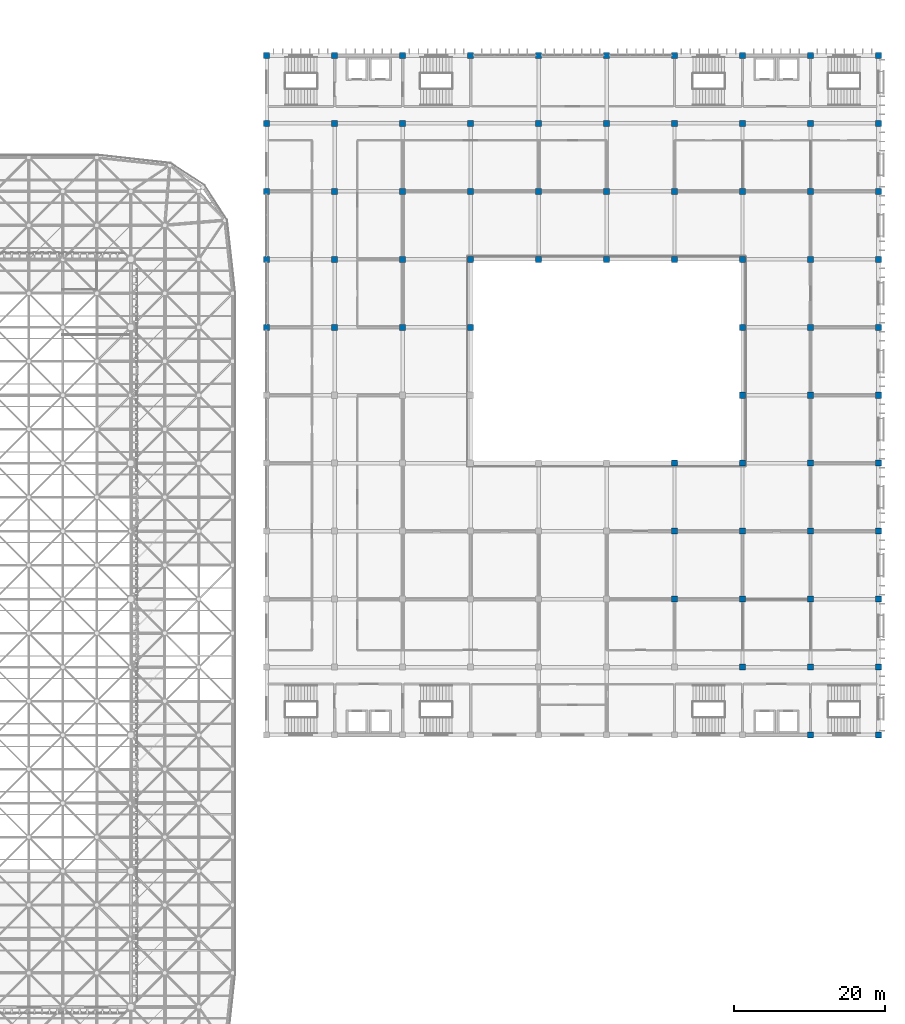
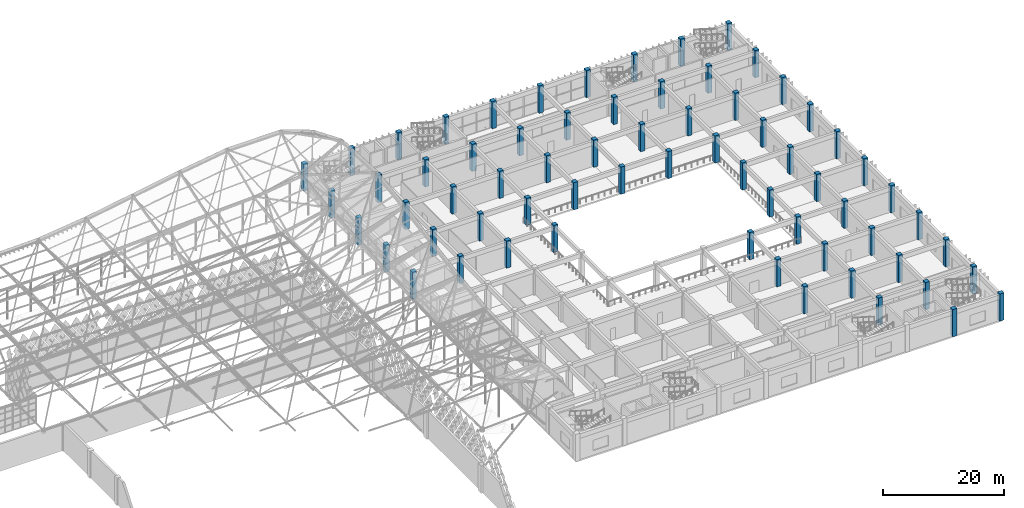
# One storey, part 10 of 437: 67 columns.
"""IFC4 building model written with IfcOpenShell, lengths in metres."""

import ifcopenshell
import ifcopenshell.guid

model = None  # the IFC model being written
_history = None  # IfcOwnerHistory: only IFC2X3 demands one
_inside = {}  # id of a spatial element -> (the spatial element, [elements in it])
_under = {}  # id of a project, library or spatial element -> (it, [spatial elements below it])
_declared = {}  # id of a project -> (the project, [libraries it declares])
_typed = {}  # id of a type object -> (the type object, [elements of that type])
_made_of = {}  # id of a material, layer set ... -> (it, [elements and type objects made of it])


def new_model(schema):
    """Start an empty IFC model of exactly this schema.

    Asked for "IFC4X3", IfcOpenShell would pick the latest addendum, in which some entities
    have other attributes; the version numbers below select the first issue.
    IFC2X3 requires an IfcOwnerHistory on every rooted entity: one is made here for all.
    """
    global model, _history
    if schema == "IFC4X3":
        model = ifcopenshell.file(schema_version=(4, 3, 0, 0))
    else:
        model = ifcopenshell.file(schema=schema)
    _inside.clear()
    _under.clear()
    _declared.clear()
    _typed.clear()
    _made_of.clear()
    _history = None
    if model.schema == "IFC2X3":
        org = make("IfcOrganization", Name="unknown")
        user = make(
            "IfcPersonAndOrganization",
            ThePerson=make("IfcPerson", FamilyName="unknown"),
            TheOrganization=org,
        )
        app = make(
            "IfcApplication",
            ApplicationDeveloper=org,
            Version="unknown",
            ApplicationFullName="unknown",
            ApplicationIdentifier="unknown",
        )
        _history = make(
            "IfcOwnerHistory",
            OwningUser=user,
            OwningApplication=app,
            ChangeAction="ADDED",
            CreationDate=0,
        )
    return model


def make(cls, **values):
    """One entity of the class cls with the attributes given. An attribute that is None is left unset."""
    return model.create_entity(
        cls, **{name: value for name, value in values.items() if value is not None}
    )


def rooted(cls, **values):
    """An entity with a GlobalId (a new one), such as an element, a storey or a relation."""
    return make(cls, GlobalId=ifcopenshell.guid.new(), OwnerHistory=_history, **values)


def si_unit(unit_type, name, prefix=None):
    """IfcSIUnit, for example si_unit("LENGTHUNIT", "METRE", prefix="MILLI")."""
    return make("IfcSIUnit", UnitType=unit_type, Prefix=prefix, Name=name)


def assignment(units):
    """IfcUnitAssignment: the units of a project."""
    return None if units is None else make("IfcUnitAssignment", Units=units)


def point(xyz):
    """IfcCartesianPoint."""
    return None if xyz is None else make("IfcCartesianPoint", Coordinates=xyz)


def direction(xyz):
    """IfcDirection."""
    return None if xyz is None else make("IfcDirection", DirectionRatios=xyz)


def frame(location, z_axis=None, x_axis=None):
    """IfcAxis2Placement3D, a coordinate frame: its origin and axes. An axis left out is left unset."""
    return make(
        "IfcAxis2Placement3D",
        Location=point(location),
        Axis=direction(z_axis),
        RefDirection=direction(x_axis),
    )


def frame_2d(location, x_axis=None):
    """IfcAxis2Placement2D, a coordinate frame in the plane: its origin and x axis."""
    return make(
        "IfcAxis2Placement2D", Location=point(location), RefDirection=direction(x_axis)
    )


def origin():
    """The frame at (0, 0, 0) with its axes left unset."""
    return frame((0.0, 0.0, 0.0))


def origin_2d():
    """The frame at (0, 0) in the plane with its x axis left unset."""
    return frame_2d((0.0, 0.0))


def place(relative_to, where):
    """IfcLocalPlacement: puts the frame where relative to a parent placement (None: the world)."""
    return make(
        "IfcLocalPlacement", PlacementRelTo=relative_to, RelativePlacement=where
    )


def context(
    kind, dimensions, precision=None, world=None, true_north=None, identifier=None
):
    """IfcGeometricRepresentationContext, for example the 3D "Model" context."""
    return make(
        "IfcGeometricRepresentationContext",
        ContextIdentifier=identifier,
        ContextType=kind,
        CoordinateSpaceDimension=dimensions,
        Precision=precision,
        WorldCoordinateSystem=world,
        TrueNorth=true_north,
    )


def subcontext(parent, identifier, kind, view, scale=None):
    """IfcGeometricRepresentationSubContext, for example "Body" below "Model"."""
    return make(
        "IfcGeometricRepresentationSubContext",
        ContextIdentifier=identifier,
        ContextType=kind,
        ParentContext=parent,
        TargetScale=scale,
        TargetView=view,
    )


def project(units=None, contexts=None):
    """IfcProject with its units and contexts."""
    return rooted(
        "IfcProject",
        Name="project",
        RepresentationContexts=contexts,
        UnitsInContext=assignment(units),
    )


def spatial(cls, under=None, at=None, **own):
    """A site, building, storey or space (cls), placed at a placement, below another one or the project."""
    s = rooted(cls, ObjectPlacement=at, **own)
    if under is not None:
        _under.setdefault(under.id(), (under, []))[1].append(s)
    return s


def profile(cls, at=None, kind="AREA", **sizes):
    """A parametric profile (cls). Its sizes go by their IFC names, for example OverallWidth=200.0."""
    return make(cls, ProfileType=kind, Position=at, **sizes)


def rectangle(**sizes):
    """IfcRectangleProfileDef."""
    return profile("IfcRectangleProfileDef", **sizes)


def extrude(swept, where, along, depth):
    """IfcExtrudedAreaSolid: the profile swept, set in the frame where, extruded along a direction by depth."""
    return make(
        "IfcExtrudedAreaSolid",
        SweptArea=swept,
        Position=where,
        ExtrudedDirection=direction(along),
        Depth=depth,
    )


def shape(context_of_items, identifier, shape_type, items):
    """IfcShapeRepresentation: the items that make up one representation, for example the "Body"."""
    return make(
        "IfcShapeRepresentation",
        ContextOfItems=context_of_items,
        RepresentationIdentifier=identifier,
        RepresentationType=shape_type,
        Items=items,
    )


def material(Name=None, Category=None):
    """IfcMaterial."""
    return make("IfcMaterial", Name=Name, Category=Category)


def material_profile(
    of_material, cross_section, Name=None, Category=None, Priority=None
):
    """IfcMaterialProfile: a cross section and its material."""
    return make(
        "IfcMaterialProfile",
        Name=Name,
        Material=of_material,
        Profile=cross_section,
        Priority=Priority,
        Category=Category,
    )


def profile_set(profiles, Name=None, composite=None):
    """IfcMaterialProfileSet."""
    return make(
        "IfcMaterialProfileSet",
        Name=Name,
        MaterialProfiles=profiles,
        CompositeProfile=composite,
    )


def made_of(thing, what):
    """Note that an element or type object is made of a material, layer set ...; save() writes the relation."""
    if what is not None:
        _made_of.setdefault(what.id(), (what, []))[1].append(thing)
    return thing


def type_object(cls, material=None, **own):
    """A type object (cls), such as IfcWallType, which elements share."""
    return made_of(rooted(cls, **own), material)


def element(
    cls,
    number,
    at=None,
    inside=None,
    cuts=None,
    type_object=None,
    material=None,
    context=None,
    identifier="Body",
    shape_type=None,
    held_by="IfcProductDefinitionShape",
    body=None,
    shapes=None,
    **own,
):
    """One element of the class cls, such as IfcWall. Its Tag is "e" and its number.

    at: its placement. inside: the storey or other place that contains it. cuts: it is an
    opening in that element (IfcRelVoidsElement). A single representation is given by context,
    identifier, shape_type and body (its items); several are given by shapes. held_by: the class
    of the entity that holds the representations. save() writes the other relations.
    """
    e = rooted(cls, Tag="e%d" % number, ObjectPlacement=at, **own)
    if body is not None:
        shapes = [shape(context, identifier, shape_type, body)]
    if shapes is not None:
        e.Representation = make(held_by, Representations=shapes)
    if inside is not None:
        _inside.setdefault(inside.id(), (inside, []))[1].append(e)
    if cuts is not None:
        rooted(
            "IfcRelVoidsElement", RelatingBuildingElement=cuts, RelatedOpeningElement=e
        )
    if type_object is not None:
        _typed.setdefault(type_object.id(), (type_object, []))[1].append(e)
    return made_of(e, material)


def aggregate(whole, parts):
    """IfcRelAggregates: a whole, such as a stair, and the parts it consists of."""
    return rooted("IfcRelAggregates", RelatingObject=whole, RelatedObjects=parts)


def save(model, path):
    """Write the relations noted so far, then the file.

    IfcRelAggregates (storeys below a building ...), IfcRelContainedInSpatialStructure (elements
    in a storey), IfcRelDefinesByType, IfcRelAssociatesMaterial and IfcRelDeclares: one each for
    every whole, place, type object, material and project.
    """
    for whole, parts in _under.values():
        aggregate(whole, parts)
    for where, things in _inside.values():
        rooted(
            "IfcRelContainedInSpatialStructure",
            RelatedElements=things,
            RelatingStructure=where,
        )
    for kind, things in _typed.values():
        rooted("IfcRelDefinesByType", RelatedObjects=things, RelatingType=kind)
    for what, things in _made_of.values():
        rooted("IfcRelAssociatesMaterial", RelatedObjects=things, RelatingMaterial=what)
    for by, libraries in _declared.values():
        rooted("IfcRelDeclares", RelatingContext=by, RelatedDefinitions=libraries)
    model.write(path)


model = new_model("IFC4")

# Units and contexts
model_context = context("Model", 3, precision=1e-05, world=origin(), true_north=direction((0.0, 1.0)))
body_context = subcontext(model_context, "Body", "Model", "MODEL_VIEW")
ifc_project = project(units=[si_unit("LENGTHUNIT", "METRE"), si_unit("AREAUNIT", "SQUARE_METRE"), si_unit("VOLUMEUNIT", "CUBIC_METRE"), si_unit("PLANEANGLEUNIT", "RADIAN"), si_unit("MASSUNIT", "GRAM", prefix="KILO")], contexts=[model_context])

# Site, building, storey
site_placement = place(None, origin())
site = spatial("IfcSite", under=ifc_project, at=site_placement, CompositionType="ELEMENT")
building_placement = place(site_placement, origin())
building = spatial("IfcBuilding", under=site, at=building_placement, Name="Opaline Strait Convention Centre", CompositionType="ELEMENT")
storey_placement = place(building_placement, frame((0.0, 0.0, 11.5)))
storey = spatial("IfcBuildingStorey", under=building, at=storey_placement, Name="L02", CompositionType="ELEMENT", Elevation=11.5)

# Columns
ifc_material = material(Name="Concrete C40", Category="concrete")
ifc_material_profile = material_profile(ifc_material, rectangle(XDim=0.800048828125, YDim=0.800048828125, at=origin_2d()), Name="RC 800x800")
ifc_profile_set = profile_set([ifc_material_profile], Name="Concrete C40")
column_type = type_object("IfcColumnType", Name="RC column 800x800 C40", PredefinedType="COLUMN", material=ifc_profile_set)
for number, where, z_axis, x_axis, name in (
    (1, (279.0, 144.0, 0.0), (0.0, 0.0, 1.0), (1.0, 0.0, 0.0), "XC2 L02 at 32/S"),
    (2, (279.0, 153.0, 0.0), (0.0, 0.0, 1.0), (1.0, 0.0, 0.0), "XC2 L02 at 32/T"),
    (3, (279.0, 162.0, 0.0), (0.0, 0.0, 1.0), (1.0, 0.0, 0.0), "XC2 L02 at 32/U"),
    (4, (279.0, 171.0, 0.0), (0.0, 0.0, 1.0), (1.0, 0.0, 0.0), "XC2 L02 at 32/V"),
    (5, (279.0, 180.0, 0.0), (0.0, 0.0, 1.0), (1.0, 0.0, 0.0), "XC2 L02 at 32/W"),
    (6, (288.0, 144.0, 0.0), (0.0, 0.0, 1.0), (1.0, 0.0, 0.0), "XC2 L02 at 33/S"),
    (7, (288.0, 153.0, 0.0), (0.0, 0.0, 1.0), (1.0, 0.0, 0.0), "XC2 L02 at 33/T"),
    (8, (288.0, 162.0, 0.0), (0.0, 0.0, 1.0), (1.0, 0.0, 0.0), "XC2 L02 at 33/U"),
    (9, (288.0, 171.0, 0.0), (0.0, 0.0, 1.0), (1.0, 0.0, 0.0), "XC2 L02 at 33/V"),
    (10, (288.0, 180.0, 0.0), (0.0, 0.0, 1.0), (1.0, 0.0, 0.0), "XC2 L02 at 33/W"),
    (11, (297.0, 144.0, 0.0), (0.0, 0.0, 1.0), (1.0, 0.0, 0.0), "XC2 L02 at 34/S"),
    (12, (297.0, 153.0, 0.0), (0.0, 0.0, 1.0), (1.0, 0.0, 0.0), "XC2 L02 at 34/T"),
    (13, (297.0, 162.0, 0.0), (0.0, 0.0, 1.0), (1.0, 0.0, 0.0), "XC2 L02 at 34/U"),
    (14, (297.0, 171.0, 0.0), (0.0, 0.0, 1.0), (1.0, 0.0, 0.0), "XC2 L02 at 34/V"),
    (15, (297.0, 180.0, 0.0), (0.0, 0.0, 1.0), (1.0, 0.0, 0.0), "XC2 L02 at 34/W"),
    (16, (306.0, 144.0, 0.0), (0.0, 0.0, 1.0), (1.0, 0.0, 0.0), "XC2 L02 at 35/S"),
    (17, (306.0, 153.0, 0.0), (0.0, 0.0, 1.0), (1.0, 0.0, 0.0), "XC2 L02 at 35/T"),
    (18, (306.0, 162.0, 0.0), (0.0, 0.0, 1.0), (1.0, 0.0, 0.0), "XC2 L02 at 35/U"),
    (19, (306.0, 171.0, 0.0), (0.0, 0.0, 1.0), (1.0, 0.0, 0.0), "XC2 L02 at 35/V"),
    (20, (306.0, 180.0, 0.0), (0.0, 0.0, 1.0), (1.0, 0.0, 0.0), "XC2 L02 at 35/W"),
    (21, (315.0, 153.0, 0.0), (0.0, 0.0, 1.0), (1.0, 0.0, 0.0), "XC2 L02 at 36/T"),
    (22, (315.0, 162.0, 0.0), (0.0, 0.0, 1.0), (1.0, 0.0, 0.0), "XC2 L02 at 36/U"),
    (23, (315.0, 171.0, 0.0), (0.0, 0.0, 1.0), (1.0, 0.0, 0.0), "XC2 L02 at 36/V"),
    (24, (315.0, 180.0, 0.0), (0.0, 0.0, 1.0), (1.0, 0.0, 0.0), "XC2 L02 at 36/W"),
    (25, (324.0, 153.0, 0.0), (0.0, 0.0, 1.0), (1.0, 0.0, 0.0), "XC2 L02 at 37/T"),
    (26, (324.0, 162.0, 0.0), (0.0, 0.0, 1.0), (1.0, 0.0, 0.0), "XC2 L02 at 37/U"),
    (27, (324.0, 171.0, 0.0), (0.0, 0.0, 1.0), (1.0, 0.0, 0.0), "XC2 L02 at 37/V"),
    (28, (324.0, 180.0, 0.0), (0.0, 0.0, 1.0), (1.0, 0.0, 0.0), "XC2 L02 at 37/W"),
    (29, (333.0, 108.0, 0.0), (0.0, 0.0, 1.0), (1.0, 0.0, 0.0), "XC2 L02 at 38/N"),
    (30, (333.0, 117.0, 0.0), (0.0, 0.0, 1.0), (1.0, 0.0, 0.0), "XC2 L02 at 38/P"),
    (31, (333.0, 126.0, 0.0), (0.0, 0.0, 1.0), (1.0, 0.0, 0.0), "XC2 L02 at 38/Q"),
    (32, (333.0, 153.0, 0.0), (0.0, 0.0, 1.0), (1.0, 0.0, 0.0), "XC2 L02 at 38/T"),
    (33, (333.0, 162.0, 0.0), (0.0, 0.0, 1.0), (1.0, 0.0, 0.0), "XC2 L02 at 38/U"),
    (34, (333.0, 171.0, 0.0), (0.0, 0.0, 1.0), (1.0, 0.0, 0.0), "XC2 L02 at 38/V"),
    (35, (333.0, 180.0, 0.0), (0.0, 0.0, 1.0), (1.0, 0.0, 0.0), "XC2 L02 at 38/W"),
    (36, (342.0, 99.0, 0.0), (0.0, 0.0, 1.0), (1.0, 0.0, 0.0), "XC2 L02 at 39/M"),
    (37, (342.0, 108.0, 0.0), (0.0, 0.0, 1.0), (1.0, 0.0, 0.0), "XC2 L02 at 39/N"),
    (38, (342.0, 117.0, 0.0), (0.0, 0.0, 1.0), (1.0, 0.0, 0.0), "XC2 L02 at 39/P"),
    (39, (342.0, 126.0, 0.0), (0.0, 0.0, 1.0), (1.0, 0.0, 0.0), "XC2 L02 at 39/Q"),
    (40, (342.0, 135.0, 0.0), (0.0, 0.0, 1.0), (1.0, 0.0, 0.0), "XC2 L02 at 39/R"),
    (41, (342.0, 144.0, 0.0), (0.0, 0.0, 1.0), (1.0, 0.0, 0.0), "XC2 L02 at 39/S"),
    (42, (342.0, 153.0, 0.0), (0.0, 0.0, 1.0), (1.0, 0.0, 0.0), "XC2 L02 at 39/T"),
    (43, (342.0, 162.0, 0.0), (0.0, 0.0, 1.0), (1.0, 0.0, 0.0), "XC2 L02 at 39/U"),
    (44, (342.0, 171.0, 0.0), (0.0, 0.0, 1.0), (1.0, 0.0, 0.0), "XC2 L02 at 39/V"),
    (45, (342.0, 180.0, 0.0), (0.0, 0.0, 1.0), (1.0, 0.0, 0.0), "XC2 L02 at 39/W"),
    (46, (351.0, 90.0, 0.0), (0.0, 0.0, 1.0), (1.0, 0.0, 0.0), "XC2 L02 at 40/L"),
    (47, (351.0, 99.0, 0.0), (0.0, 0.0, 1.0), (1.0, 0.0, 0.0), "XC2 L02 at 40/M"),
    (48, (351.0, 108.0, 0.0), (0.0, 0.0, 1.0), (1.0, 0.0, 0.0), "XC2 L02 at 40/N"),
    (49, (351.0, 117.0, 0.0), (0.0, 0.0, 1.0), (1.0, 0.0, 0.0), "XC2 L02 at 40/P"),
    (50, (351.0, 126.0, 0.0), (0.0, 0.0, 1.0), (1.0, 0.0, 0.0), "XC2 L02 at 40/Q"),
    (51, (351.0, 135.0, 0.0), (0.0, 0.0, 1.0), (1.0, 0.0, 0.0), "XC2 L02 at 40/R"),
    (52, (351.0, 144.0, 0.0), (0.0, 0.0, 1.0), (1.0, 0.0, 0.0), "XC2 L02 at 40/S"),
    (53, (351.0, 153.0, 0.0), (0.0, 0.0, 1.0), (1.0, 0.0, 0.0), "XC2 L02 at 40/T"),
    (54, (351.0, 162.0, 0.0), (0.0, 0.0, 1.0), (1.0, 0.0, 0.0), "XC2 L02 at 40/U"),
    (55, (351.0, 171.0, 0.0), (0.0, 0.0, 1.0), (1.0, 0.0, 0.0), "XC2 L02 at 40/V"),
    (56, (351.0, 180.0, 0.0), (0.0, 0.0, 1.0), (1.0, 0.0, 0.0), "XC2 L02 at 40/W"),
    (57, (360.0, 90.0, 0.0), (0.0, 0.0, 1.0), (1.0, 0.0, 0.0), "XC2 L02 at 41/L"),
    (58, (360.0, 99.0, 0.0), (0.0, 0.0, 1.0), (1.0, 0.0, 0.0), "XC2 L02 at 41/M"),
    (59, (360.0, 108.0, 0.0), (0.0, 0.0, 1.0), (1.0, 0.0, 0.0), "XC2 L02 at 41/N"),
    (60, (360.0, 117.0, 0.0), (0.0, 0.0, 1.0), (1.0, 0.0, 0.0), "XC2 L02 at 41/P"),
    (61, (360.0, 126.0, 0.0), (0.0, 0.0, 1.0), (1.0, 0.0, 0.0), "XC2 L02 at 41/Q"),
    (62, (360.0, 135.0, 0.0), (0.0, 0.0, 1.0), (1.0, 0.0, 0.0), "XC2 L02 at 41/R"),
    (63, (360.0, 144.0, 0.0), (0.0, 0.0, 1.0), (1.0, 0.0, 0.0), "XC2 L02 at 41/S"),
    (64, (360.0, 153.0, 0.0), (0.0, 0.0, 1.0), (1.0, 0.0, 0.0), "XC2 L02 at 41/T"),
    (65, (360.0, 162.0, 0.0), (0.0, 0.0, 1.0), (1.0, 0.0, 0.0), "XC2 L02 at 41/U"),
    (66, (360.0, 171.0, 0.0), (0.0, 0.0, 1.0), (1.0, 0.0, 0.0), "XC2 L02 at 41/V"),
    (67, (360.0, 180.0, 0.0), (0.0, 0.0, 1.0), (1.0, 0.0, 0.0), "XC2 L02 at 41/W"),
):
    element("IfcColumn", number, at=place(storey_placement, frame(where, z_axis=z_axis, x_axis=x_axis)), inside=storey, type_object=column_type, Name=name, PredefinedType="COLUMN", context=body_context, shape_type="SweptSolid", body=[
        extrude(rectangle(XDim=0.800048828125, YDim=0.800048828125, at=origin_2d()), origin(), (0.0, 0.0, 1.0), 5.5),
    ])

save(model, "model.ifc")
